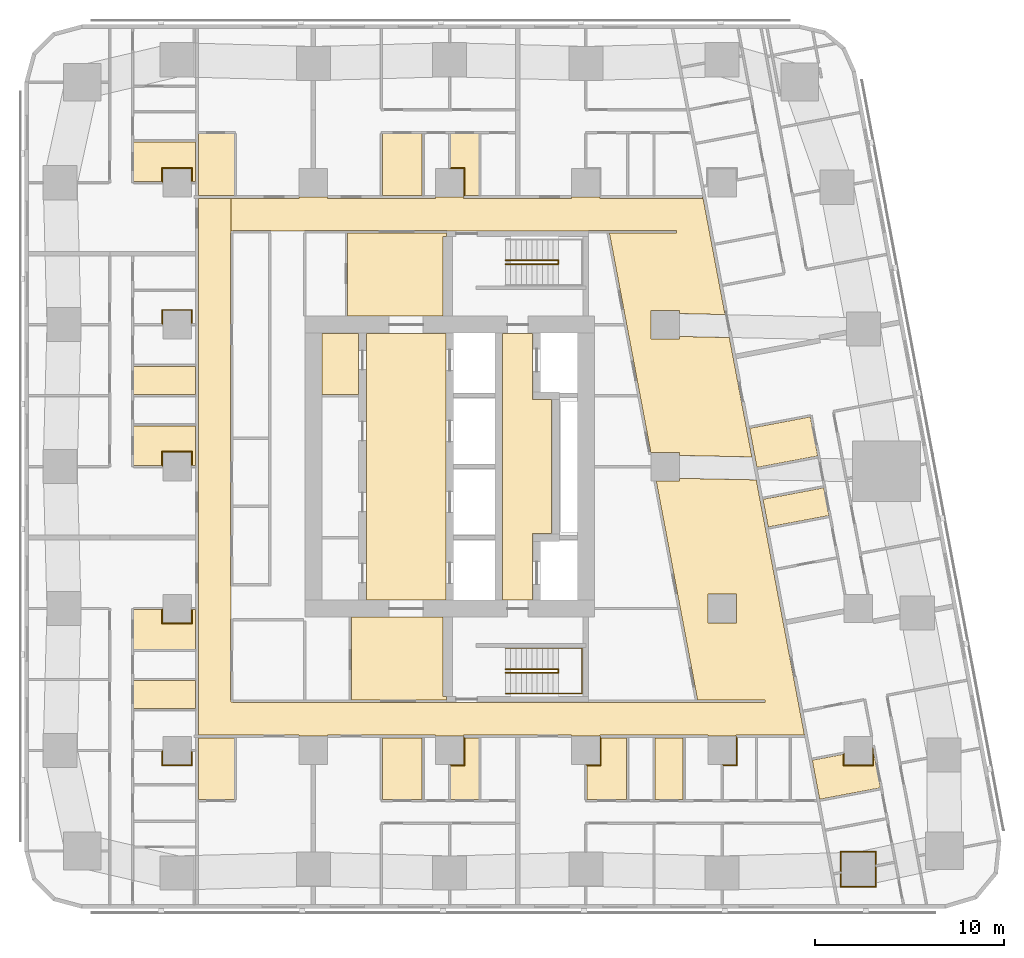
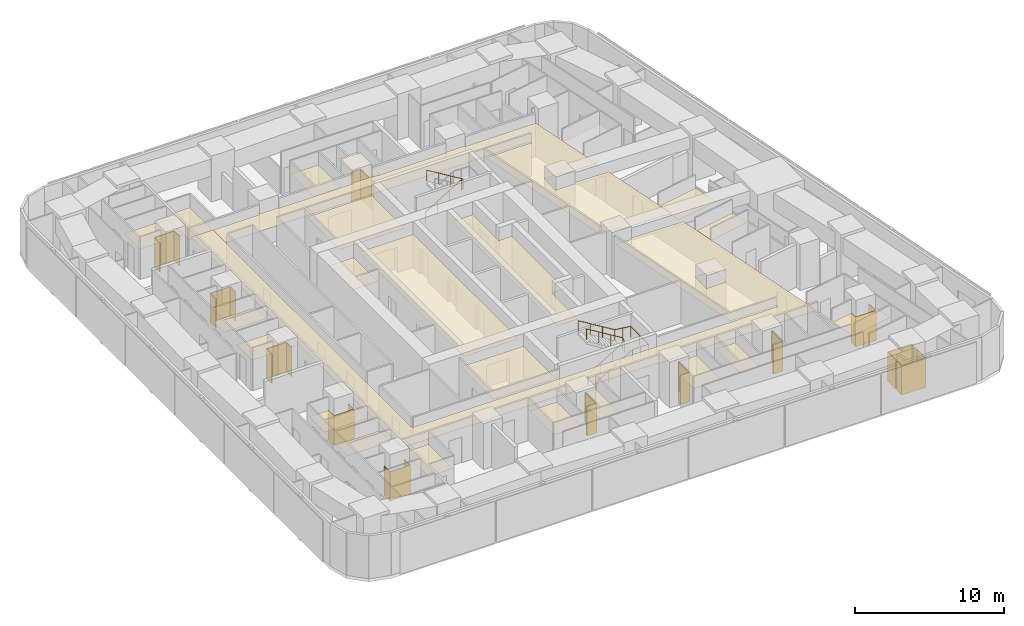
# One storey, part 14 of 15: 35 coverings, 3 railings.
"""IFC4 building model written with IfcOpenShell, lengths in metres."""

import ifcopenshell
import ifcopenshell.guid

model = None  # the IFC model being written
_history = None  # IfcOwnerHistory: only IFC2X3 demands one
_inside = {}  # id of a spatial element -> (the spatial element, [elements in it])
_under = {}  # id of a project, library or spatial element -> (it, [spatial elements below it])
_declared = {}  # id of a project -> (the project, [libraries it declares])
_typed = {}  # id of a type object -> (the type object, [elements of that type])
_made_of = {}  # id of a material, layer set ... -> (it, [elements and type objects made of it])


def new_model(schema):
    """Start an empty IFC model of exactly this schema.

    Asked for "IFC4X3", IfcOpenShell would pick the latest addendum, in which some entities
    have other attributes; the version numbers below select the first issue.
    IFC2X3 requires an IfcOwnerHistory on every rooted entity: one is made here for all.
    """
    global model, _history
    if schema == "IFC4X3":
        model = ifcopenshell.file(schema_version=(4, 3, 0, 0))
    else:
        model = ifcopenshell.file(schema=schema)
    _inside.clear()
    _under.clear()
    _declared.clear()
    _typed.clear()
    _made_of.clear()
    _history = None
    if model.schema == "IFC2X3":
        org = make("IfcOrganization", Name="unknown")
        user = make(
            "IfcPersonAndOrganization",
            ThePerson=make("IfcPerson", FamilyName="unknown"),
            TheOrganization=org,
        )
        app = make(
            "IfcApplication",
            ApplicationDeveloper=org,
            Version="unknown",
            ApplicationFullName="unknown",
            ApplicationIdentifier="unknown",
        )
        _history = make(
            "IfcOwnerHistory",
            OwningUser=user,
            OwningApplication=app,
            ChangeAction="ADDED",
            CreationDate=0,
        )
    return model


def make(cls, **values):
    """One entity of the class cls with the attributes given. An attribute that is None is left unset."""
    return model.create_entity(
        cls, **{name: value for name, value in values.items() if value is not None}
    )


def rooted(cls, **values):
    """An entity with a GlobalId (a new one), such as an element, a storey or a relation."""
    return make(cls, GlobalId=ifcopenshell.guid.new(), OwnerHistory=_history, **values)


def si_unit(unit_type, name, prefix=None):
    """IfcSIUnit, for example si_unit("LENGTHUNIT", "METRE", prefix="MILLI")."""
    return make("IfcSIUnit", UnitType=unit_type, Prefix=prefix, Name=name)


def assignment(units):
    """IfcUnitAssignment: the units of a project."""
    return None if units is None else make("IfcUnitAssignment", Units=units)


def point(xyz):
    """IfcCartesianPoint."""
    return None if xyz is None else make("IfcCartesianPoint", Coordinates=xyz)


def direction(xyz):
    """IfcDirection."""
    return None if xyz is None else make("IfcDirection", DirectionRatios=xyz)


def frame(location, z_axis=None, x_axis=None):
    """IfcAxis2Placement3D, a coordinate frame: its origin and axes. An axis left out is left unset."""
    return make(
        "IfcAxis2Placement3D",
        Location=point(location),
        Axis=direction(z_axis),
        RefDirection=direction(x_axis),
    )


def frame_2d(location, x_axis=None):
    """IfcAxis2Placement2D, a coordinate frame in the plane: its origin and x axis."""
    return make(
        "IfcAxis2Placement2D", Location=point(location), RefDirection=direction(x_axis)
    )


def origin():
    """The frame at (0, 0, 0) with its axes left unset."""
    return frame((0.0, 0.0, 0.0))


def origin_2d():
    """The frame at (0, 0) in the plane with its x axis left unset."""
    return frame_2d((0.0, 0.0))


def place(relative_to, where):
    """IfcLocalPlacement: puts the frame where relative to a parent placement (None: the world)."""
    return make(
        "IfcLocalPlacement", PlacementRelTo=relative_to, RelativePlacement=where
    )


def context(
    kind, dimensions, precision=None, world=None, true_north=None, identifier=None
):
    """IfcGeometricRepresentationContext, for example the 3D "Model" context."""
    return make(
        "IfcGeometricRepresentationContext",
        ContextIdentifier=identifier,
        ContextType=kind,
        CoordinateSpaceDimension=dimensions,
        Precision=precision,
        WorldCoordinateSystem=world,
        TrueNorth=true_north,
    )


def subcontext(parent, identifier, kind, view, scale=None):
    """IfcGeometricRepresentationSubContext, for example "Body" below "Model"."""
    return make(
        "IfcGeometricRepresentationSubContext",
        ContextIdentifier=identifier,
        ContextType=kind,
        ParentContext=parent,
        TargetScale=scale,
        TargetView=view,
    )


def project(units=None, contexts=None):
    """IfcProject with its units and contexts."""
    return rooted(
        "IfcProject",
        Name="project",
        RepresentationContexts=contexts,
        UnitsInContext=assignment(units),
    )


def spatial(cls, under=None, at=None, **own):
    """A site, building, storey or space (cls), placed at a placement, below another one or the project."""
    s = rooted(cls, ObjectPlacement=at, **own)
    if under is not None:
        _under.setdefault(under.id(), (under, []))[1].append(s)
    return s


def polyline(points):
    """IfcPolyline through the points."""
    return make("IfcPolyline", Points=[point(p) for p in points])


def profile(cls, at=None, kind="AREA", **sizes):
    """A parametric profile (cls). Its sizes go by their IFC names, for example OverallWidth=200.0."""
    return make(cls, ProfileType=kind, Position=at, **sizes)


def circle(**sizes):
    """IfcCircleProfileDef."""
    return profile("IfcCircleProfileDef", **sizes)


def outline(outer, holes=None, kind="AREA"):
    """IfcArbitraryClosedProfileDef: a profile drawn as a closed curve; with holes, ...WithVoids."""
    if holes is None:
        return make("IfcArbitraryClosedProfileDef", ProfileType=kind, OuterCurve=outer)
    return make(
        "IfcArbitraryProfileDefWithVoids",
        ProfileType=kind,
        OuterCurve=outer,
        InnerCurves=holes,
    )


def extrude(swept, where, along, depth):
    """IfcExtrudedAreaSolid: the profile swept, set in the frame where, extruded along a direction by depth."""
    return make(
        "IfcExtrudedAreaSolid",
        SweptArea=swept,
        Position=where,
        ExtrudedDirection=direction(along),
        Depth=depth,
    )


def shape(context_of_items, identifier, shape_type, items):
    """IfcShapeRepresentation: the items that make up one representation, for example the "Body"."""
    return make(
        "IfcShapeRepresentation",
        ContextOfItems=context_of_items,
        RepresentationIdentifier=identifier,
        RepresentationType=shape_type,
        Items=items,
    )


def material(Name=None, Category=None):
    """IfcMaterial."""
    return make("IfcMaterial", Name=Name, Category=Category)


def layer(
    of_material, thickness, ventilated=None, Name=None, Category=None, Priority=None
):
    """IfcMaterialLayer: one layer of a wall or slab, of a material (None: an air gap)."""
    return make(
        "IfcMaterialLayer",
        Material=of_material,
        LayerThickness=thickness,
        IsVentilated=ventilated,
        Name=Name,
        Category=Category,
        Priority=Priority,
    )


def layer_set(layers, Name=None):
    """IfcMaterialLayerSet."""
    return make("IfcMaterialLayerSet", MaterialLayers=layers, LayerSetName=Name)


def made_of(thing, what):
    """Note that an element or type object is made of a material, layer set ...; save() writes the relation."""
    if what is not None:
        _made_of.setdefault(what.id(), (what, []))[1].append(thing)
    return thing


def type_object(cls, material=None, **own):
    """A type object (cls), such as IfcWallType, which elements share."""
    return made_of(rooted(cls, **own), material)


def element(
    cls,
    number,
    at=None,
    inside=None,
    cuts=None,
    type_object=None,
    material=None,
    context=None,
    identifier="Body",
    shape_type=None,
    held_by="IfcProductDefinitionShape",
    body=None,
    shapes=None,
    **own,
):
    """One element of the class cls, such as IfcWall. Its Tag is "e" and its number.

    at: its placement. inside: the storey or other place that contains it. cuts: it is an
    opening in that element (IfcRelVoidsElement). A single representation is given by context,
    identifier, shape_type and body (its items); several are given by shapes. held_by: the class
    of the entity that holds the representations. save() writes the other relations.
    """
    e = rooted(cls, Tag="e%d" % number, ObjectPlacement=at, **own)
    if body is not None:
        shapes = [shape(context, identifier, shape_type, body)]
    if shapes is not None:
        e.Representation = make(held_by, Representations=shapes)
    if inside is not None:
        _inside.setdefault(inside.id(), (inside, []))[1].append(e)
    if cuts is not None:
        rooted(
            "IfcRelVoidsElement", RelatingBuildingElement=cuts, RelatedOpeningElement=e
        )
    if type_object is not None:
        _typed.setdefault(type_object.id(), (type_object, []))[1].append(e)
    return made_of(e, material)


def aggregate(whole, parts):
    """IfcRelAggregates: a whole, such as a stair, and the parts it consists of."""
    return rooted("IfcRelAggregates", RelatingObject=whole, RelatedObjects=parts)


def save(model, path):
    """Write the relations noted so far, then the file.

    IfcRelAggregates (storeys below a building ...), IfcRelContainedInSpatialStructure (elements
    in a storey), IfcRelDefinesByType, IfcRelAssociatesMaterial and IfcRelDeclares: one each for
    every whole, place, type object, material and project.
    """
    for whole, parts in _under.values():
        aggregate(whole, parts)
    for where, things in _inside.values():
        rooted(
            "IfcRelContainedInSpatialStructure",
            RelatedElements=things,
            RelatingStructure=where,
        )
    for kind, things in _typed.values():
        rooted("IfcRelDefinesByType", RelatedObjects=things, RelatingType=kind)
    for what, things in _made_of.values():
        rooted("IfcRelAssociatesMaterial", RelatedObjects=things, RelatingMaterial=what)
    for by, libraries in _declared.values():
        rooted("IfcRelDeclares", RelatingContext=by, RelatedDefinitions=libraries)
    model.write(path)


model = new_model("IFC4")

# Units and contexts
model_context = context("Model", 3, precision=1e-05, world=origin(), true_north=direction((0.0, 1.0)))
body_context = subcontext(model_context, "Body", "Model", "MODEL_VIEW")
ifc_project = project(units=[si_unit("LENGTHUNIT", "METRE"), si_unit("AREAUNIT", "SQUARE_METRE"), si_unit("VOLUMEUNIT", "CUBIC_METRE"), si_unit("PLANEANGLEUNIT", "RADIAN"), si_unit("MASSUNIT", "GRAM", prefix="KILO")], contexts=[model_context])

# Site, building, storey
site_placement = place(None, origin())
site = spatial("IfcSite", under=ifc_project, at=site_placement, CompositionType="ELEMENT")
building_placement = place(site_placement, origin())
building = spatial("IfcBuilding", under=site, at=building_placement, Name="Sheger Commons Tower", CompositionType="ELEMENT")
storey_placement = place(building_placement, frame((0.0, 0.0, 154.550048828125)))
storey = spatial("IfcBuildingStorey", under=building, at=storey_placement, Name="L39", CompositionType="ELEMENT", Elevation=154.550048828125)

# Railings
ifc_material_1 = material(Name="Steel handrail, black powder-coated", Category="steel")
railing_type = type_object("IfcRailingType", Name="HANDRAIL 900", PredefinedType="HANDRAIL", material=ifc_material_1)
railing_1_placement = place(storey_placement, frame((24.550048828125, 11.60009765625, 0.17041015625)))
element("IfcRailing", 1, at=railing_1_placement, inside=storey, type_object=railing_type, Name="Stair S1 handrail L39", PredefinedType="HANDRAIL", context=body_context, shape_type="SweptSolid", body=[
    extrude(circle(Radius=0.02392578125, at=origin_2d()), frame((0.0, 0.0, 0.8759765625), z_axis=(0.854169791009, 0.0, 0.51999420009), x_axis=(0.0, 1.0, 0.0)), (0.0, 0.0, 1.0), 3.278076171875),
    extrude(circle(Radius=0.02392578125, at=origin_2d()), frame((2.800048828125, 0.0, 2.58056640625), z_axis=(0.0, 0.761090297175, 0.648645943136), x_axis=(-1.0, 0.0, 0.0)), (0.0, 0.0, 1.0), 0.2626953125),
    extrude(circle(Radius=0.02392578125, at=origin_2d()), frame((2.800048828125, 0.199951171875, 2.7509765625), z_axis=(-0.854169791009, 0.0, 0.51999420009), x_axis=(0.0, -1.0, 0.0)), (0.0, 0.0, 1.0), 3.278076171875),
    extrude(circle(Radius=0.02099609375, at=origin_2d()), origin(), (0.0, 0.0, 1.0), 0.851806640625),
    extrude(circle(Radius=0.02099609375, at=origin_2d()), frame((0.933349609375, 0.0, 0.568115234375)), (0.0, 0.0, 1.0), 0.851806640625),
    extrude(circle(Radius=0.02099609375, at=origin_2d()), frame((1.86669921875, 0.0, 1.136474609375)), (0.0, 0.0, 1.0), 0.851806640625),
    extrude(circle(Radius=0.02099609375, at=origin_2d()), frame((2.800048828125, 0.0, 1.70458984375)), (0.0, 0.0, 1.0), 0.851806640625),
    extrude(circle(Radius=0.02099609375, at=origin_2d()), frame((2.800048828125, 0.199951171875, 1.875)), (0.0, 0.0, 1.0), 0.851806640625),
    extrude(circle(Radius=0.02099609375, at=origin_2d()), frame((1.86669921875, 0.199951171875, 2.443115234375)), (0.0, 0.0, 1.0), 0.851806640625),
    extrude(circle(Radius=0.02099609375, at=origin_2d()), frame((0.933349609375, 0.199951171875, 3.011474609375)), (0.0, 0.0, 1.0), 0.851806640625),
    extrude(circle(Radius=0.02099609375, at=origin_2d()), frame((0.0, 0.199951171875, 3.57958984375)), (0.0, 0.0, 1.0), 0.851806640625),
])
railing_2_placement = place(storey_placement, frame((24.550048828125, 10.5, 0.17041015625)))
element("IfcRailing", 2, at=railing_2_placement, inside=storey, type_object=railing_type, Name="Stair S1 handrail L39", PredefinedType="HANDRAIL", context=body_context, shape_type="SweptSolid", body=[
    extrude(circle(Radius=0.02392578125, at=origin_2d()), frame((0.0, 0.0, 0.8759765625), z_axis=(0.854169791009, 0.0, 0.51999420009), x_axis=(0.0, 1.0, 0.0)), (0.0, 0.0, 1.0), 3.278076171875),
    extrude(circle(Radius=0.02392578125, at=origin_2d()), frame((2.800048828125, 0.0, 2.58056640625), z_axis=(1.0, 0.0, 0.0), x_axis=(0.0, 1.0, 0.0)), (0.0, 0.0, 1.0), 1.25),
    extrude(circle(Radius=0.02392578125, at=origin_2d()), frame((4.050048828125, 0.0, 2.58056640625), z_axis=(0.0, 1.0, 0.0), x_axis=(-1.0, 0.0, 0.0)), (0.0, 0.0, 1.0), 2.39990234375),
    extrude(circle(Radius=0.02392578125, at=origin_2d()), frame((4.050048828125, 2.39990234375, 2.58056640625), z_axis=(-0.990834877927, 0.0, 0.135078661092), x_axis=(0.0, -1.0, 0.0)), (0.0, 0.0, 1.0), 1.261474609375),
    extrude(circle(Radius=0.02392578125, at=origin_2d()), frame((2.800048828125, 2.39990234375, 2.7509765625), z_axis=(-0.854169791009, 0.0, 0.51999420009), x_axis=(0.0, -1.0, 0.0)), (0.0, 0.0, 1.0), 3.278076171875),
    extrude(circle(Radius=0.02099609375, at=origin_2d()), origin(), (0.0, 0.0, 1.0), 0.851806640625),
    extrude(circle(Radius=0.02099609375, at=origin_2d()), frame((0.933349609375, 0.0, 0.568115234375)), (0.0, 0.0, 1.0), 0.851806640625),
    extrude(circle(Radius=0.02099609375, at=origin_2d()), frame((1.86669921875, 0.0, 1.136474609375)), (0.0, 0.0, 1.0), 0.851806640625),
    extrude(circle(Radius=0.02099609375, at=origin_2d()), frame((2.800048828125, 0.0, 1.70458984375)), (0.0, 0.0, 1.0), 0.851806640625),
    extrude(circle(Radius=0.02099609375, at=origin_2d()), frame((3.425048828125, 0.0, 1.70458984375)), (0.0, 0.0, 1.0), 0.851806640625),
    extrude(circle(Radius=0.02099609375, at=origin_2d()), frame((4.050048828125, 0.0, 1.70458984375)), (0.0, 0.0, 1.0), 0.851806640625),
    extrude(circle(Radius=0.02099609375, at=origin_2d()), frame((4.050048828125, 1.199951171875, 1.70458984375)), (0.0, 0.0, 1.0), 0.851806640625),
    extrude(circle(Radius=0.02099609375, at=origin_2d()), frame((4.050048828125, 2.39990234375, 1.70458984375)), (0.0, 0.0, 1.0), 0.851806640625),
    extrude(circle(Radius=0.02099609375, at=origin_2d()), frame((3.425048828125, 2.39990234375, 1.789794921875)), (0.0, 0.0, 1.0), 0.851806640625),
    extrude(circle(Radius=0.02099609375, at=origin_2d()), frame((2.800048828125, 2.39990234375, 1.875)), (0.0, 0.0, 1.0), 0.851806640625),
    extrude(circle(Radius=0.02099609375, at=origin_2d()), frame((1.86669921875, 2.39990234375, 2.443115234375)), (0.0, 0.0, 1.0), 0.851806640625),
    extrude(circle(Radius=0.02099609375, at=origin_2d()), frame((0.933349609375, 2.39990234375, 3.011474609375)), (0.0, 0.0, 1.0), 0.851806640625),
    extrude(circle(Radius=0.02099609375, at=origin_2d()), frame((0.0, 2.39990234375, 3.57958984375)), (0.0, 0.0, 1.0), 0.851806640625),
])
railing_3_placement = place(storey_placement, frame((24.550048828125, 33.39990234375, 0.17041015625)))
element("IfcRailing", 3, at=railing_3_placement, inside=storey, type_object=railing_type, Name="Stair S2 handrail L39", PredefinedType="HANDRAIL", context=body_context, shape_type="SweptSolid", body=[
    extrude(circle(Radius=0.02392578125, at=origin_2d()), frame((0.0, 0.0, 0.8759765625), z_axis=(0.854169791009, 0.0, 0.51999420009), x_axis=(0.0, 1.0, 0.0)), (0.0, 0.0, 1.0), 3.278076171875),
    extrude(circle(Radius=0.02392578125, at=origin_2d()), frame((2.800048828125, 0.0, 2.58056640625), z_axis=(0.0, -0.761090297175, 0.648645943136), x_axis=(1.0, 0.0, 0.0)), (0.0, 0.0, 1.0), 0.2626953125),
    extrude(circle(Radius=0.02392578125, at=origin_2d()), frame((2.800048828125, -0.199951171875, 2.7509765625), z_axis=(-0.854169791009, 0.0, 0.51999420009), x_axis=(0.0, -1.0, 0.0)), (0.0, 0.0, 1.0), 3.278076171875),
    extrude(circle(Radius=0.02099609375, at=origin_2d()), origin(), (0.0, 0.0, 1.0), 0.851806640625),
    extrude(circle(Radius=0.02099609375, at=origin_2d()), frame((0.933349609375, 0.0, 0.568115234375)), (0.0, 0.0, 1.0), 0.851806640625),
    extrude(circle(Radius=0.02099609375, at=origin_2d()), frame((1.86669921875, 0.0, 1.136474609375)), (0.0, 0.0, 1.0), 0.851806640625),
    extrude(circle(Radius=0.02099609375, at=origin_2d()), frame((2.800048828125, 0.0, 1.70458984375)), (0.0, 0.0, 1.0), 0.851806640625),
    extrude(circle(Radius=0.02099609375, at=origin_2d()), frame((2.800048828125, -0.199951171875, 1.875)), (0.0, 0.0, 1.0), 0.851806640625),
    extrude(circle(Radius=0.02099609375, at=origin_2d()), frame((1.86669921875, -0.199951171875, 2.443115234375)), (0.0, 0.0, 1.0), 0.851806640625),
    extrude(circle(Radius=0.02099609375, at=origin_2d()), frame((0.933349609375, -0.199951171875, 3.011474609375)), (0.0, 0.0, 1.0), 0.851806640625),
    extrude(circle(Radius=0.02099609375, at=origin_2d()), frame((0.0, -0.199951171875, 3.57958984375)), (0.0, 0.0, 1.0), 0.851806640625),
])

# Coverings
ifc_material_2 = material(Name="Moisture-resistant gypsum plasterboard 15 mm on a suspended galvanised steel grid", Category="steel")
ifc_layer_1 = layer(ifc_material_2, 0.014892578125)
ifc_layer_set_1 = layer_set([ifc_layer_1], Name="MOISTURE-RESISTANT CEILING 15")
covering_type_1 = type_object("IfcCoveringType", Name="MOISTURE-RESISTANT CEILING 15", PredefinedType="CEILING", material=ifc_layer_set_1)
covering_1_placement = place(storey_placement, frame((0.0, 0.0, 2.39990234375)))
element("IfcCovering", 4, at=covering_1_placement, inside=storey, type_object=covering_type_1, Name="L39-01.B1 ceiling", PredefinedType="CEILING", context=body_context, shape_type="SweptSolid", body=[
    extrude(outline(polyline([(4.905029296875, 12.844970703125), (8.169921875, 12.844970703125), (8.169921875, 14.945068359375), (7.955078125, 14.945068359375), (7.955078125, 14.2451171875), (6.445068359375, 14.2451171875), (6.445068359375, 14.945068359375), (4.905029296875, 14.945068359375), (4.905029296875, 12.844970703125)])), origin(), (0.0, 0.0, 1.0), 0.01513671875),
])
covering_2_placement = place(storey_placement, frame((0.0, 0.0, 2.39990234375)))
element("IfcCovering", 5, at=covering_2_placement, inside=storey, type_object=covering_type_1, Name="L39-01.B2 ceiling", PredefinedType="CEILING", context=body_context, shape_type="SweptSolid", body=[
    extrude(outline(polyline([(4.905029296875, 9.705078125), (8.169921875, 9.705078125), (8.169921875, 11.195068359375), (4.905029296875, 11.195068359375), (4.905029296875, 9.705078125)])), origin(), (0.0, 0.0, 1.0), 0.01513671875),
])
covering_3_placement = place(storey_placement, frame((0.0, 0.0, 2.39990234375)))
element("IfcCovering", 6, at=covering_3_placement, inside=storey, type_object=covering_type_1, Name="L39-02.B1 ceiling", PredefinedType="CEILING", context=body_context, shape_type="SweptSolid", body=[
    extrude(outline(polyline([(4.905029296875, 22.554931640625), (6.445068359375, 22.554931640625), (6.445068359375, 23.2548828125), (7.955078125, 23.2548828125), (7.955078125, 22.554931640625), (8.169921875, 22.554931640625), (8.169921875, 24.655029296875), (4.905029296875, 24.655029296875), (4.905029296875, 22.554931640625)])), origin(), (0.0, 0.0, 1.0), 0.01513671875),
])
covering_4_placement = place(storey_placement, frame((0.0, 0.0, 2.39990234375)))
element("IfcCovering", 7, at=covering_4_placement, inside=storey, type_object=covering_type_1, Name="L39-02.B2 ceiling", PredefinedType="CEILING", context=body_context, shape_type="SweptSolid", body=[
    extrude(outline(polyline([(4.905029296875, 26.304931640625), (8.169921875, 26.304931640625), (8.169921875, 27.794921875), (4.905029296875, 27.794921875), (4.905029296875, 26.304931640625)])), origin(), (0.0, 0.0, 1.0), 0.01513671875),
])
covering_5_placement = place(storey_placement, frame((0.0, 0.0, 2.39990234375)))
element("IfcCovering", 8, at=covering_5_placement, inside=storey, type_object=covering_type_1, Name="L39-03.B1 ceiling", PredefinedType="CEILING", context=body_context, shape_type="SweptSolid", body=[
    extrude(outline(polyline([(4.905029296875, 37.554931640625), (6.445068359375, 37.554931640625), (6.445068359375, 38.2548828125), (7.955078125, 38.2548828125), (7.955078125, 37.554931640625), (8.169921875, 37.554931640625), (8.169921875, 39.655029296875), (4.905029296875, 39.655029296875), (4.905029296875, 37.554931640625)])), origin(), (0.0, 0.0, 1.0), 0.01513671875),
])
covering_6_placement = place(storey_placement, frame((0.0, 0.0, 2.39990234375)))
element("IfcCovering", 9, at=covering_6_placement, inside=storey, type_object=covering_type_1, Name="L39-04.B1 ceiling", PredefinedType="CEILING", context=body_context, shape_type="SweptSolid", body=[
    extrude(outline(polyline([(8.330078125, 4.905029296875), (10.22412109375, 4.905029296875), (10.22412109375, 8.169921875), (8.330078125, 8.169921875), (8.330078125, 4.905029296875)])), origin(), (0.0, 0.0, 1.0), 0.01513671875),
])
covering_7_placement = place(storey_placement, frame((0.0, 0.0, 2.39990234375)))
element("IfcCovering", 10, at=covering_7_placement, inside=storey, type_object=covering_type_1, Name="L39-05.B1 ceiling", PredefinedType="CEILING", context=body_context, shape_type="SweptSolid", body=[
    extrude(outline(polyline([(18.054931640625, 4.905029296875), (20.155029296875, 4.905029296875), (20.155029296875, 8.169921875), (18.054931640625, 8.169921875), (18.054931640625, 4.905029296875)])), origin(), (0.0, 0.0, 1.0), 0.01513671875),
])
covering_8_placement = place(storey_placement, frame((0.0, 0.0, 2.39990234375)))
element("IfcCovering", 11, at=covering_8_placement, inside=storey, type_object=covering_type_1, Name="L39-05.B2 ceiling", PredefinedType="CEILING", context=body_context, shape_type="SweptSolid", body=[
    extrude(outline(polyline([(21.655029296875, 4.905029296875), (23.14501953125, 4.905029296875), (23.14501953125, 8.169921875), (22.35498046875, 8.169921875), (22.35498046875, 6.7451171875), (21.655029296875, 6.7451171875), (21.655029296875, 4.905029296875)])), origin(), (0.0, 0.0, 1.0), 0.01513671875),
])
covering_9_placement = place(storey_placement, frame((0.0, 0.0, 2.39990234375)))
element("IfcCovering", 12, at=covering_9_placement, inside=storey, type_object=covering_type_1, Name="L39-06.B1 ceiling", PredefinedType="CEILING", context=body_context, shape_type="SweptSolid", body=[
    extrude(outline(polyline([(28.85498046875, 4.905029296875), (30.955078125, 4.905029296875), (30.955078125, 8.169921875), (29.554931640625, 8.169921875), (29.554931640625, 6.7451171875), (28.85498046875, 6.7451171875), (28.85498046875, 4.905029296875)])), origin(), (0.0, 0.0, 1.0), 0.01513671875),
])
covering_10_placement = place(storey_placement, frame((0.0, 0.0, 2.39990234375)))
element("IfcCovering", 13, at=covering_10_placement, inside=storey, type_object=covering_type_1, Name="L39-06.B2 ceiling", PredefinedType="CEILING", context=body_context, shape_type="SweptSolid", body=[
    extrude(outline(polyline([(32.455078125, 4.905029296875), (33.945068359375, 4.905029296875), (33.945068359375, 8.169921875), (32.455078125, 8.169921875), (32.455078125, 4.905029296875)])), origin(), (0.0, 0.0, 1.0), 0.01513671875),
])
covering_11_placement = place(storey_placement, frame((0.0, 0.0, 2.39990234375)))
element("IfcCovering", 14, at=covering_11_placement, inside=storey, type_object=covering_type_1, Name="L39-08.B1 ceiling", PredefinedType="CEILING", context=body_context, shape_type="SweptSolid", body=[
    extrude(outline(polyline([(37.843994140625, 22.4580078125), (41.052001953125, 23.06396484375), (40.662109375, 25.1279296875), (37.4541015625, 24.52197265625), (37.843994140625, 22.4580078125)])), origin(), (0.0, 0.0, 1.0), 0.01513671875),
])
covering_12_placement = place(storey_placement, frame((0.0, 0.0, 2.39990234375)))
element("IfcCovering", 15, at=covering_12_placement, inside=storey, type_object=covering_type_1, Name="L39-08.B2 ceiling", PredefinedType="CEILING", context=body_context, shape_type="SweptSolid", body=[
    extrude(outline(polyline([(38.43896484375, 19.30810546875), (41.64697265625, 19.9140625), (41.3701171875, 21.3779296875), (38.162109375, 20.77197265625), (38.43896484375, 19.30810546875)])), origin(), (0.0, 0.0, 1.0), 0.01513671875),
])
covering_13_placement = place(storey_placement, frame((0.0, 0.0, 2.39990234375)))
element("IfcCovering", 16, at=covering_13_placement, inside=storey, type_object=covering_type_1, Name="L39-09.B1 ceiling", PredefinedType="CEILING", context=body_context, shape_type="SweptSolid", body=[
    extrude(outline(polyline([(41.156005859375, 4.9208984375), (44.364013671875, 5.527099609375), (43.964111328125, 7.64501953125), (43.955078125, 7.64306640625), (43.955078125, 6.7451171875), (42.445068359375, 6.7451171875), (42.445068359375, 7.302001953125), (40.76611328125, 6.985107421875), (41.156005859375, 4.9208984375)])), origin(), (0.0, 0.0, 1.0), 0.01513671875),
])
covering_14_placement = place(storey_placement, frame((0.0, 0.0, 2.39990234375)))
element("IfcCovering", 17, at=covering_14_placement, inside=storey, type_object=covering_type_1, Name="L39-10.B1 ceiling", PredefinedType="CEILING", context=body_context, shape_type="SweptSolid", body=[
    extrude(outline(polyline([(8.330078125, 36.830078125), (10.22412109375, 36.830078125), (10.22412109375, 40.094970703125), (8.330078125, 40.094970703125), (8.330078125, 36.830078125)])), origin(), (0.0, 0.0, 1.0), 0.01513671875),
])
covering_15_placement = place(storey_placement, frame((0.0, 0.0, 2.39990234375)))
element("IfcCovering", 18, at=covering_15_placement, inside=storey, type_object=covering_type_1, Name="L39-11.B1 ceiling", PredefinedType="CEILING", context=body_context, shape_type="SweptSolid", body=[
    extrude(outline(polyline([(18.054931640625, 36.830078125), (20.155029296875, 36.830078125), (20.155029296875, 40.094970703125), (18.054931640625, 40.094970703125), (18.054931640625, 36.830078125)])), origin(), (0.0, 0.0, 1.0), 0.01513671875),
])
covering_16_placement = place(storey_placement, frame((0.0, 0.0, 2.39990234375)))
element("IfcCovering", 19, at=covering_16_placement, inside=storey, type_object=covering_type_1, Name="L39-11.B2 ceiling", PredefinedType="CEILING", context=body_context, shape_type="SweptSolid", body=[
    extrude(outline(polyline([(22.35498046875, 36.830078125), (23.14501953125, 36.830078125), (23.14501953125, 40.094970703125), (21.655029296875, 40.094970703125), (21.655029296875, 38.2548828125), (22.35498046875, 38.2548828125), (22.35498046875, 36.830078125)])), origin(), (0.0, 0.0, 1.0), 0.01513671875),
])
covering_17_placement = place(storey_placement, frame((0.0, 0.0, 2.39990234375)))
element("IfcCovering", 20, at=covering_17_placement, inside=storey, type_object=covering_type_1, Name="L39-CRB3 ceiling", PredefinedType="CEILING", context=body_context, shape_type="SweptSolid", body=[
    extrude(outline(polyline([(14.85498046875, 26.31689453125), (16.794921875, 26.31689453125), (16.794921875, 29.544921875), (14.85498046875, 29.544921875), (14.85498046875, 26.31689453125)])), origin(), (0.0, 0.0, 1.0), 0.01513671875),
])
ifc_material_3 = material(Name="Gypsum plasterboard 15 mm on a suspended steel grid", Category="steel")
ifc_layer_2 = layer(ifc_material_3, 0.014892578125)
ifc_layer_set_2 = layer_set([ifc_layer_2], Name="SUSPENDED CEILING 15")
covering_type_2 = type_object("IfcCoveringType", Name="SUSPENDED CEILING 15", PredefinedType="CEILING", material=ifc_layer_set_2)
covering_18_placement = place(storey_placement, frame((0.0, 0.0, 2.699951171875)))
element("IfcCovering", 21, at=covering_18_placement, inside=storey, type_object=covering_type_2, Name="L39-CO ceiling", PredefinedType="CEILING", context=body_context, shape_type="SweptSolid", body=[
    extrude(outline(polyline([(13.654052734375, 8.2548828125), (15.14599609375, 8.2548828125), (15.14599609375, 8.330078125), (20.85400390625, 8.330078125), (20.85400390625, 8.2548828125), (22.345947265625, 8.2548828125), (22.345947265625, 8.330078125), (28.053955078125, 8.330078125), (28.053955078125, 8.2548828125), (29.5458984375, 8.2548828125), (29.5458984375, 8.330078125), (35.25390625, 8.330078125), (35.25390625, 8.2548828125), (36.74609375, 8.2548828125), (36.74609375, 8.330078125), (40.35009765625, 8.330078125), (37.805908203125, 21.798095703125), (33.7548828125, 21.8798828125), (33.7548828125, 21.7451171875), (32.52099609375, 21.7451171875), (34.705078125, 10.181884765625), (34.66796875, 10.175048828125), (34.669921875, 10.16796875), (38.27001953125, 10.16796875), (38.27001953125, 10.031982421875), (28.945068359375, 10.031982421875), (28.945068359375, 10.044921875), (21.455078125, 10.044921875), (21.455078125, 10.031982421875), (10.156982421875, 10.031982421875), (10.156982421875, 10.050048828125), (10.050048828125, 10.050048828125), (10.050048828125, 10.156982421875), (10.031982421875, 10.156982421875), (10.031982421875, 14.455078125), (10.050048828125, 14.455078125), (10.050048828125, 16.195068359375), (10.031982421875, 16.195068359375), (10.031982421875, 34.843017578125), (10.050048828125, 34.843017578125), (10.050048828125, 34.947998046875), (10.048095703125, 34.947998046875), (10.048095703125, 36.669921875), (8.330078125, 36.669921875), (8.330078125, 8.330078125), (13.654052734375, 8.330078125), (13.654052734375, 8.2548828125)]), holes=[polyline([(36.7548828125, 15.7548828125), (36.7548828125, 14.2451171875), (35.2451171875, 14.2451171875), (35.2451171875, 15.7548828125), (36.7548828125, 15.7548828125)])]), origin(), (0.0, 0.0, 1.0), 0.014892578125),
])
covering_19_placement = place(storey_placement, frame((0.0, 0.0, 2.699951171875)))
element("IfcCovering", 22, at=covering_19_placement, inside=storey, type_object=covering_type_2, Name="L39-CO ceiling", PredefinedType="CEILING", context=body_context, shape_type="SweptSolid", body=[
    extrude(outline(polyline([(37.575927734375, 23.011962890625), (36.385009765625, 29.318115234375), (33.7548828125, 29.3779296875), (33.7548828125, 29.2451171875), (32.2451171875, 29.2451171875), (32.2451171875, 30.7548828125), (33.7548828125, 30.7548828125), (33.7548828125, 30.587890625), (36.156005859375, 30.533935546875), (34.98193359375, 36.75), (34.97802734375, 36.75), (34.97802734375, 36.669921875), (33.572998046875, 36.669921875), (33.568115234375, 34.969970703125), (33.568115234375, 36.669921875), (29.5458984375, 36.669921875), (29.5458984375, 36.7451171875), (28.053955078125, 36.7451171875), (28.053955078125, 36.669921875), (22.345947265625, 36.669921875), (22.345947265625, 36.7451171875), (20.85400390625, 36.7451171875), (20.85400390625, 36.669921875), (15.14599609375, 36.669921875), (15.14599609375, 36.7451171875), (13.654052734375, 36.7451171875), (13.654052734375, 36.669921875), (10.052978515625, 36.669921875), (10.052978515625, 34.949951171875), (10.156982421875, 34.949951171875), (10.156982421875, 34.968017578125), (12.155029296875, 34.968017578125), (12.155029296875, 34.949951171875), (13.945068359375, 34.949951171875), (13.945068359375, 34.968017578125), (21.455078125, 34.968017578125), (21.455078125, 34.949951171875), (28.945068359375, 34.949951171875), (28.945068359375, 34.968017578125), (33.568115234375, 34.968017578125), (33.5849609375, 34.968017578125), (33.5849609375, 34.83203125), (30.048095703125, 34.83203125), (32.242919921875, 23.214111328125), (32.2451171875, 23.214111328125), (32.2451171875, 23.2548828125), (33.7548828125, 23.2548828125), (33.7548828125, 23.090087890625), (37.575927734375, 23.011962890625)])), origin(), (0.0, 0.0, 1.0), 0.014892578125),
])
covering_20_placement = place(storey_placement, frame((0.0, 0.0, 2.699951171875)))
element("IfcCovering", 23, at=covering_20_placement, inside=storey, type_object=covering_type_2, Name="L39-SVS1 ceiling", PredefinedType="CEILING", context=body_context, shape_type="SweptSolid", body=[
    extrude(outline(polyline([(16.406982421875, 10.16796875), (21.445068359375, 10.16796875), (21.445068359375, 10.344970703125), (21.2451171875, 10.344970703125), (21.2451171875, 14.544921875), (16.406982421875, 14.544921875), (16.406982421875, 10.16796875)])), origin(), (0.0, 0.0, 1.0), 0.014892578125),
])
covering_21_placement = place(storey_placement, frame((0.0, 0.0, 2.699951171875)))
element("IfcCovering", 24, at=covering_21_placement, inside=storey, type_object=covering_type_2, Name="L39-SVN1 ceiling", PredefinedType="CEILING", context=body_context, shape_type="SweptSolid", body=[
    extrude(outline(polyline([(16.217041015625, 30.455078125), (21.2451171875, 30.455078125), (21.2451171875, 34.655029296875), (21.445068359375, 34.655029296875), (21.445068359375, 34.83203125), (16.217041015625, 34.83203125), (16.217041015625, 30.455078125)])), origin(), (0.0, 0.0, 1.0), 0.014892578125),
])
covering_22_placement = place(storey_placement, frame((0.0, 0.0, 2.699951171875)))
element("IfcCovering", 25, at=covering_22_placement, inside=storey, type_object=covering_type_2, Name="L39-LL ceiling", PredefinedType="CEILING", context=body_context, shape_type="SweptSolid", body=[
    extrude(outline(polyline([(17.205078125, 15.455078125), (21.39990234375, 15.455078125), (21.39990234375, 29.544921875), (17.205078125, 29.544921875), (17.205078125, 15.455078125)])), origin(), (0.0, 0.0, 1.0), 0.014892578125),
])
covering_23_placement = place(storey_placement, frame((0.0, 0.0, 2.699951171875)))
element("IfcCovering", 26, at=covering_23_placement, inside=storey, type_object=covering_type_2, Name="L39-FL ceiling", PredefinedType="CEILING", context=body_context, shape_type="SweptSolid", body=[
    extrude(outline(polyline([(24.405029296875, 15.455078125), (25.9951171875, 15.455078125), (25.9951171875, 18.955078125), (26.9951171875, 18.955078125), (26.9951171875, 26.044921875), (25.9951171875, 26.044921875), (25.9951171875, 29.544921875), (24.405029296875, 29.544921875), (24.405029296875, 15.455078125)])), origin(), (0.0, 0.0, 1.0), 0.014892578125),
])
ifc_material_4 = material(Name="Moisture-resistant gypsum board 12.5 mm on 25 mm treated timber battens, tanked and tiled", Category="wood")
ifc_layer_3 = layer(ifc_material_4, 0.050048828125)
ifc_layer_set_3 = layer_set([ifc_layer_3], Name="WET-ROOM COLUMN LINING")
covering_type_3 = type_object("IfcCoveringType", Name="WET-ROOM COLUMN LINING", PredefinedType="CLADDING", material=ifc_layer_set_3)
covering_24_placement = place(storey_placement, origin())
element("IfcCovering", 27, at=covering_24_placement, inside=storey, type_object=covering_type_3, Name="Laundry room column lining C8 L39", PredefinedType="CLADDING", context=body_context, shape_type="SweptSolid", body=[
    extrude(outline(polyline([(44.14990234375, 2.175048828125), (44.14990234375, 1.455078125), (44.10107421875, 1.446044921875), (44.110107421875, 1.39697265625), (44.10009765625, 1.39501953125), (44.10009765625, 2.125), (42.300048828125, 2.125), (42.300048828125, 1.054931640625), (42.2900390625, 1.052978515625), (42.281005859375, 1.10205078125), (42.25, 1.095947265625), (42.25, 2.175048828125), (44.14990234375, 2.175048828125)])), origin(), (0.0, 0.0, 1.0), 2.39990234375),
])
covering_25_placement = place(storey_placement, origin())
element("IfcCovering", 28, at=covering_25_placement, inside=storey, type_object=covering_type_3, Name="Laundry room column lining C8 L39", PredefinedType="CLADDING", context=body_context, shape_type="SweptSolid", body=[
    extrude(outline(polyline([(42.300048828125, 1.054931640625), (42.300048828125, 0.324951171875), (44.10009765625, 0.324951171875), (44.10009765625, 1.39501953125), (44.110107421875, 1.39697265625), (44.118896484375, 1.347900390625), (44.14990234375, 1.35400390625), (44.14990234375, 0.27490234375), (42.25, 0.27490234375), (42.25, 0.9951171875), (42.299072265625, 1.00390625), (42.2900390625, 1.052978515625), (42.300048828125, 1.054931640625)])), origin(), (0.0, 0.0, 1.0), 2.39990234375),
])
covering_26_placement = place(storey_placement, origin())
element("IfcCovering", 29, at=covering_26_placement, inside=storey, type_object=covering_type_3, Name="Laundry room column lining C10 L39", PredefinedType="CLADDING", context=body_context, shape_type="SweptSolid", body=[
    extrude(outline(polyline([(6.449951171875, 7.5), (6.449951171875, 6.75), (7.949951171875, 6.75), (7.949951171875, 7.5), (7.950927734375, 7.5), (7.950927734375, 7.449951171875), (8.0, 7.449951171875), (8.0, 6.699951171875), (6.39990234375, 6.699951171875), (6.39990234375, 7.449951171875), (6.448974609375, 7.449951171875), (6.448974609375, 7.5), (6.449951171875, 7.5)])), origin(), (0.0, 0.0, 1.0), 2.39990234375),
])
covering_27_placement = place(storey_placement, origin())
element("IfcCovering", 30, at=covering_27_placement, inside=storey, type_object=covering_type_3, Name="Shower room column lining C10 L39", PredefinedType="CLADDING", context=body_context, shape_type="SweptSolid", body=[
    extrude(outline(polyline([(21.64990234375, 6.699951171875), (21.64990234375, 6.7490234375), (21.60009765625, 6.7490234375), (21.60009765625, 6.75), (22.35009765625, 6.75), (22.35009765625, 8.25), (22.35107421875, 8.25), (22.35107421875, 8.175048828125), (22.39990234375, 8.175048828125), (22.39990234375, 6.699951171875), (21.64990234375, 6.699951171875)])), origin(), (0.0, 0.0, 1.0), 2.39990234375),
])
covering_28_placement = place(storey_placement, origin())
element("IfcCovering", 31, at=covering_28_placement, inside=storey, type_object=covering_type_3, Name="Bathroom column lining C10 L39", PredefinedType="CLADDING", context=body_context, shape_type="SweptSolid", body=[
    extrude(outline(polyline([(28.85009765625, 6.699951171875), (28.85009765625, 6.7490234375), (28.800048828125, 6.7490234375), (28.800048828125, 6.75), (29.550048828125, 6.75), (29.550048828125, 8.25), (29.551025390625, 8.25), (29.551025390625, 8.175048828125), (29.60009765625, 8.175048828125), (29.60009765625, 6.699951171875), (28.85009765625, 6.699951171875)])), origin(), (0.0, 0.0, 1.0), 2.39990234375),
])
covering_29_placement = place(storey_placement, origin())
element("IfcCovering", 32, at=covering_29_placement, inside=storey, type_object=covering_type_3, Name="Laundry room column lining C10 L39", PredefinedType="CLADDING", context=body_context, shape_type="SweptSolid", body=[
    extrude(outline(polyline([(36.050048828125, 6.699951171875), (36.050048828125, 6.7490234375), (36.0, 6.7490234375), (36.0, 6.75), (36.75, 6.75), (36.75, 8.25), (36.7509765625, 8.25), (36.7509765625, 8.175048828125), (36.800048828125, 8.175048828125), (36.800048828125, 6.699951171875), (36.050048828125, 6.699951171875)])), origin(), (0.0, 0.0, 1.0), 2.39990234375),
])
covering_30_placement = place(storey_placement, origin())
element("IfcCovering", 33, at=covering_30_placement, inside=storey, type_object=covering_type_3, Name="Bathroom column lining C10 L39", PredefinedType="CLADDING", context=body_context, shape_type="SweptSolid", body=[
    extrude(outline(polyline([(42.449951171875, 7.35888671875), (42.449951171875, 6.75), (43.949951171875, 6.75), (43.949951171875, 7.64208984375), (43.968994140625, 7.64599609375), (44.0, 7.47998046875), (44.0, 6.699951171875), (42.39990234375, 6.699951171875), (42.39990234375, 7.299072265625), (42.448974609375, 7.30810546875), (42.43994140625, 7.35693359375), (42.449951171875, 7.35888671875)])), origin(), (0.0, 0.0, 1.0), 2.39990234375),
])
covering_31_placement = place(storey_placement, origin())
element("IfcCovering", 34, at=covering_31_placement, inside=storey, type_object=covering_type_3, Name="Bathroom column lining C10 L39", PredefinedType="CLADDING", context=body_context, shape_type="SweptSolid", body=[
    extrude(outline(polyline([(6.449951171875, 15.0), (6.449951171875, 14.25), (7.949951171875, 14.25), (7.949951171875, 15.0), (7.950927734375, 15.0), (7.950927734375, 14.949951171875), (8.0, 14.949951171875), (8.0, 14.199951171875), (6.39990234375, 14.199951171875), (6.39990234375, 14.949951171875), (6.448974609375, 14.949951171875), (6.448974609375, 15.0), (6.449951171875, 15.0)])), origin(), (0.0, 0.0, 1.0), 2.39990234375),
])
covering_32_placement = place(storey_placement, origin())
element("IfcCovering", 35, at=covering_32_placement, inside=storey, type_object=covering_type_3, Name="Bathroom column lining C10 L39", PredefinedType="CLADDING", context=body_context, shape_type="SweptSolid", body=[
    extrude(outline(polyline([(8.0, 23.300048828125), (8.0, 22.550048828125), (7.950927734375, 22.550048828125), (7.950927734375, 22.5), (7.949951171875, 22.5), (7.949951171875, 23.25), (6.449951171875, 23.25), (6.449951171875, 22.5), (6.448974609375, 22.5), (6.448974609375, 22.550048828125), (6.39990234375, 22.550048828125), (6.39990234375, 23.300048828125), (8.0, 23.300048828125)])), origin(), (0.0, 0.0, 1.0), 2.39990234375),
])
covering_33_placement = place(storey_placement, origin())
element("IfcCovering", 36, at=covering_33_placement, inside=storey, type_object=covering_type_3, Name="Laundry room column lining C10 L39", PredefinedType="CLADDING", context=body_context, shape_type="SweptSolid", body=[
    extrude(outline(polyline([(8.0, 30.800048828125), (8.0, 30.050048828125), (7.950927734375, 30.050048828125), (7.950927734375, 30.0), (7.949951171875, 30.0), (7.949951171875, 30.75), (6.449951171875, 30.75), (6.449951171875, 30.0), (6.448974609375, 30.0), (6.448974609375, 30.050048828125), (6.39990234375, 30.050048828125), (6.39990234375, 30.800048828125), (8.0, 30.800048828125)])), origin(), (0.0, 0.0, 1.0), 2.39990234375),
])
covering_34_placement = place(storey_placement, origin())
element("IfcCovering", 37, at=covering_34_placement, inside=storey, type_object=covering_type_3, Name="Bathroom column lining C10 L39", PredefinedType="CLADDING", context=body_context, shape_type="SweptSolid", body=[
    extrude(outline(polyline([(8.0, 38.300048828125), (8.0, 37.550048828125), (7.950927734375, 37.550048828125), (7.950927734375, 37.5), (7.949951171875, 37.5), (7.949951171875, 38.25), (6.449951171875, 38.25), (6.449951171875, 37.5), (6.448974609375, 37.5), (6.448974609375, 37.550048828125), (6.39990234375, 37.550048828125), (6.39990234375, 38.300048828125), (8.0, 38.300048828125)])), origin(), (0.0, 0.0, 1.0), 2.39990234375),
])
covering_35_placement = place(storey_placement, origin())
element("IfcCovering", 38, at=covering_35_placement, inside=storey, type_object=covering_type_3, Name="Shower room column lining C10 L39", PredefinedType="CLADDING", context=body_context, shape_type="SweptSolid", body=[
    extrude(outline(polyline([(22.39990234375, 36.824951171875), (22.35107421875, 36.824951171875), (22.35107421875, 36.75), (22.35009765625, 36.75), (22.35009765625, 38.25), (21.60009765625, 38.25), (21.60009765625, 38.2509765625), (21.64990234375, 38.2509765625), (21.64990234375, 38.300048828125), (22.39990234375, 38.300048828125), (22.39990234375, 36.824951171875)])), origin(), (0.0, 0.0, 1.0), 2.39990234375),
])

save(model, "model.ifc")
